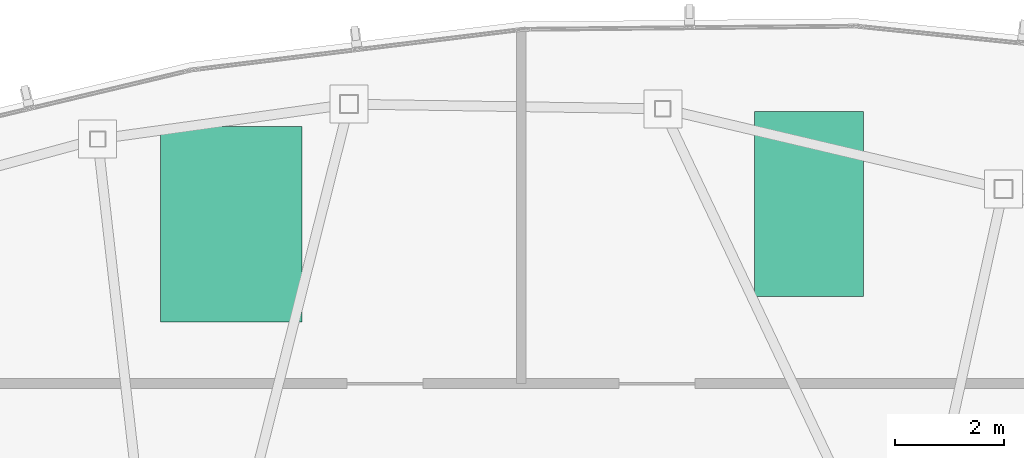
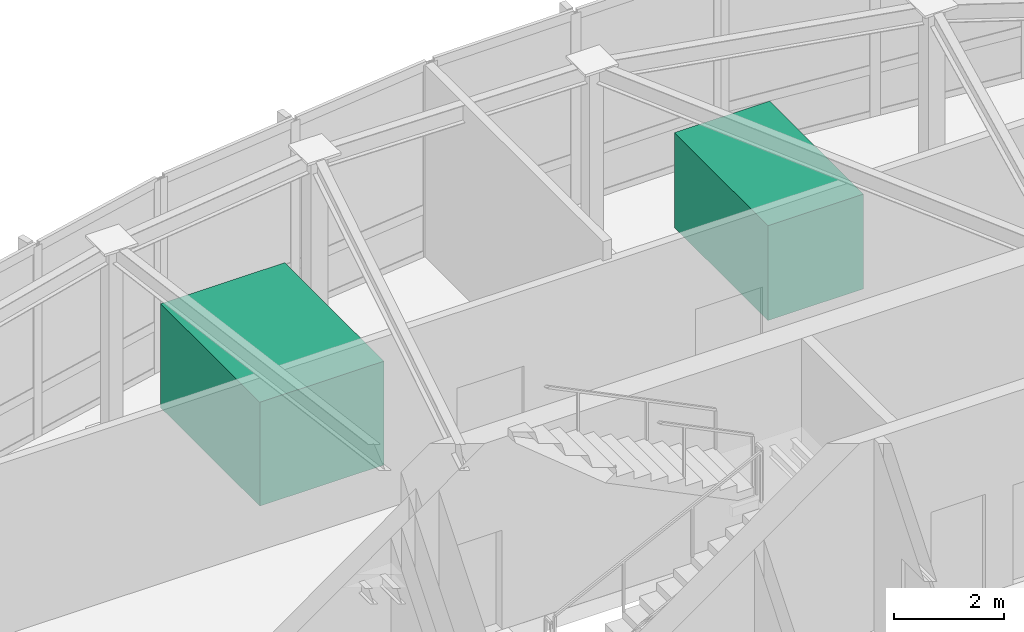
# One storey, part 11 of 11: 1 tank, 1 unitary equipment element.
"""IFC4 building model written with IfcOpenShell, lengths in metres."""

from ifc_helpers import new_model, si_unit, direction, frame, origin, origin_2d, place, context, subcontext, project, spatial, rectangle, extrude, material, type_object, element, save


model = new_model("IFC4")

# Units and contexts
model_context = context("Model", 3, precision=1e-05, world=origin(), true_north=direction((0.0, 1.0)))
body_context = subcontext(model_context, "Body", "Model", "MODEL_VIEW")
ifc_project = project(units=[si_unit("LENGTHUNIT", "METRE"), si_unit("AREAUNIT", "SQUARE_METRE"), si_unit("VOLUMEUNIT", "CUBIC_METRE"), si_unit("PLANEANGLEUNIT", "RADIAN"), si_unit("MASSUNIT", "GRAM", prefix="KILO")], contexts=[model_context])

# Site, building, storey
site_placement = place(None, origin())
site = spatial("IfcSite", under=ifc_project, at=site_placement, CompositionType="ELEMENT")
building_placement = place(site_placement, origin())
building = spatial("IfcBuilding", under=site, at=building_placement, Name="Tavelor Broadcast Tower", CompositionType="ELEMENT")
storey_placement = place(building_placement, frame((0.0, 0.0, 345.89990234375)))
storey = spatial("IfcBuildingStorey", under=building, at=storey_placement, Name="L82", CompositionType="ELEMENT", Elevation=345.89990234375)

# Unitary equipment
ifc_material = material(Name="Steel S355", Category="steel")
unitary_equipment_type = type_object("IfcUnitaryEquipmentType", Name="Broadcast Acoustic Air Handling Unit AHU", PredefinedType="AIRHANDLER", material=ifc_material)
unitary_equipment_placement = place(storey_placement, frame((54.791748046875, 58.9541015625, 0.0), z_axis=(0.0, 0.0, 1.0), x_axis=(1.0, 0.0, 0.0)))
element("IfcUnitaryEquipment", 1, at=unitary_equipment_placement, inside=storey, type_object=unitary_equipment_type, Name="L82 Broadcast Acoustic Air Handling Unit #15", PredefinedType="AIRHANDLER", context=body_context, shape_type="SweptSolid", body=[
    extrude(rectangle(XDim=2.0, YDim=3.39990234375, at=origin_2d()), origin(), (0.0, 0.0, 1.0), 2.10009765625),
])

# Tank
tank_type = type_object("IfcTankType", Name="Sectional Stainless Steel Fire and Domestic Water Tank", PredefinedType="STORAGE", material=ifc_material)
tank_placement = place(storey_placement, frame((44.172119140625, 58.579345703125, 0.0), z_axis=(0.0, 0.0, 1.0), x_axis=(1.0, 0.0, 0.0)))
element("IfcTank", 2, at=tank_placement, inside=storey, type_object=tank_type, Name="L82 Sectional Stainless Water Tank #16", PredefinedType="STORAGE", context=body_context, shape_type="SweptSolid", body=[
    extrude(rectangle(XDim=2.60009765625, YDim=3.60009765625, at=origin_2d()), origin(), (0.0, 0.0, 1.0), 2.300048828125),
])

save(model, "model.ifc")
